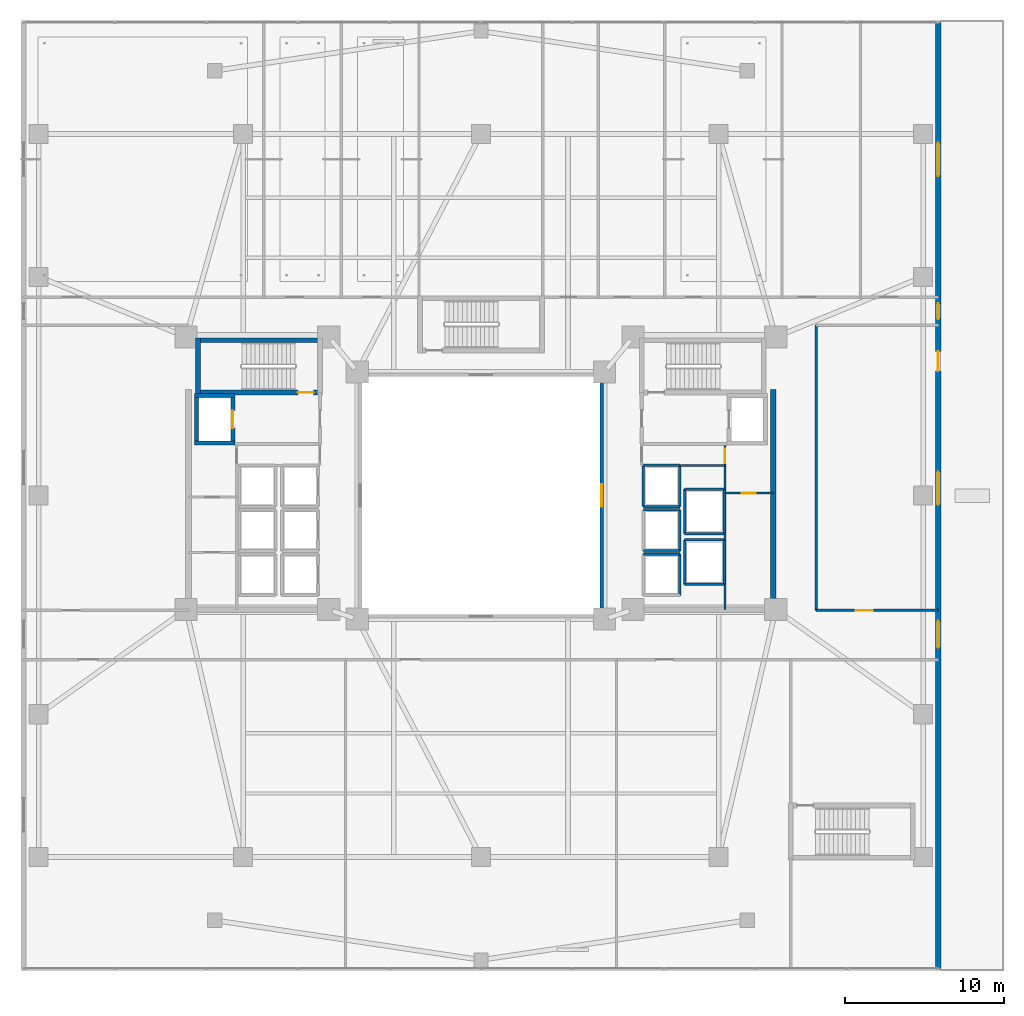
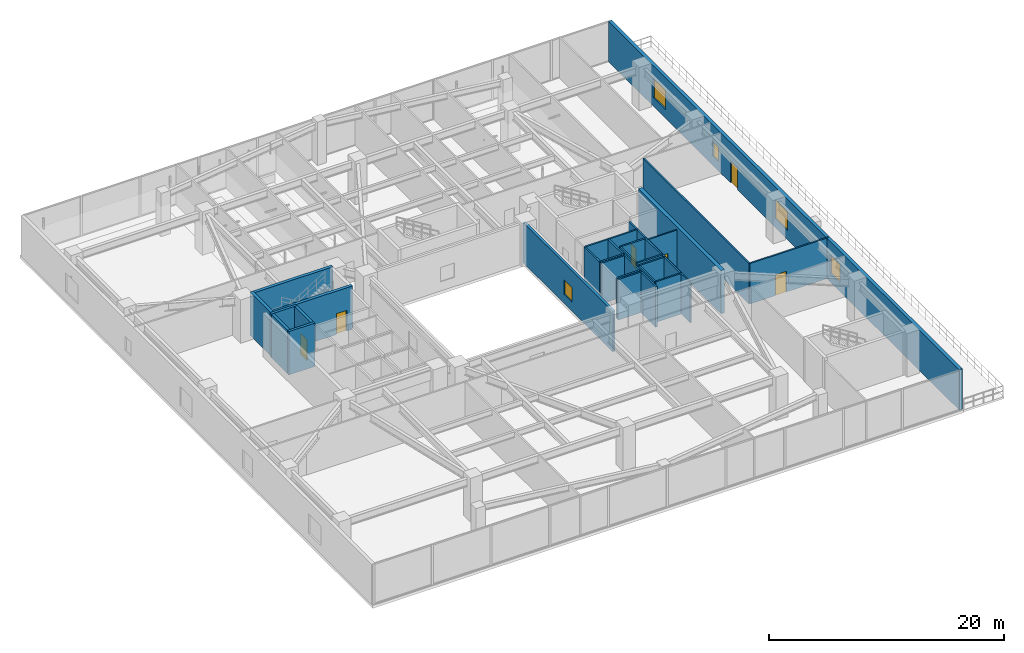
# One storey, part 18 of 27: 32 walls, 6 doors, 5 windows, 11 openings.
"""IFC4 building model written with IfcOpenShell, lengths in metres."""

from ifc_helpers import new_model, si_unit, direction, frame, frame_2d, origin, place, context, subcontext, project, spatial, rectangle, extrude, material, layer, layer_set, type_object, element, fill, save


model = new_model("IFC4")

# Units and contexts
model_context = context("Model", 3, precision=1e-05, world=origin(), true_north=direction((0.0, 1.0)))
body_context = subcontext(model_context, "Body", "Model", "MODEL_VIEW")
ifc_project = project(units=[si_unit("LENGTHUNIT", "METRE"), si_unit("AREAUNIT", "SQUARE_METRE"), si_unit("VOLUMEUNIT", "CUBIC_METRE"), si_unit("PLANEANGLEUNIT", "RADIAN"), si_unit("MASSUNIT", "GRAM", prefix="KILO")], contexts=[model_context])

# Site, building, storey
site_placement = place(None, origin())
site = spatial("IfcSite", under=ifc_project, at=site_placement, CompositionType="ELEMENT")
building_placement = place(site_placement, origin())
building = spatial("IfcBuilding", under=site, at=building_placement, Name="Tarnavaz Court Tower", CompositionType="ELEMENT")
storey_placement = place(building_placement, frame((0.0, 0.0, 9.89990234375)))
storey = spatial("IfcBuildingStorey", under=building, at=storey_placement, Name="L02", CompositionType="ELEMENT", Elevation=9.89990234375)

# Wall
ifc_material_1 = material(Name="Concrete C60/75", Category="concrete")
ifc_layer_1 = layer(ifc_material_1, 0.25)
ifc_layer_set_1 = layer_set([ifc_layer_1], Name="Concrete C60/75")
wall_type_1 = type_object("IfcWallType", Name="WL-CORE-250-C60", PredefinedType="SHEAR", material=ifc_layer_set_1)
wall_1_placement = place(storey_placement, frame((-17.949951171875, 3.175048828125, 0.0), z_axis=(0.0, 0.0, 1.0), x_axis=(0.0, 1.0, 0.0)))
element("IfcWall", 1, at=wall_1_placement, inside=storey, type_object=wall_type_1, Name="L02 Lift FL-W1 Shaft Wall 021", PredefinedType="SHEAR", context=body_context, shape_type="SweptSolid", body=[
    extrude(rectangle(XDim=3.25, YDim=0.25, at=frame_2d((1.625, 0.0))), origin(), (0.0, 0.0, 1.0), 4.5),
])

# Wall, opening, door
wall_2_placement = place(storey_placement, frame((-15.64990234375, 3.175048828125, 0.0), z_axis=(0.0, 0.0, 1.0), x_axis=(0.0, 1.0, 0.0)))
wall_2 = element("IfcWall", 2, at=wall_2_placement, inside=storey, type_object=wall_type_1, Name="L02 Lift FL-W1 Shaft Wall 022", PredefinedType="SHEAR", context=body_context, shape_type="SweptSolid", body=[
    extrude(rectangle(XDim=3.25, YDim=0.25, at=frame_2d((1.625, 0.0))), origin(), (0.0, 0.0, 1.0), 4.5),
])
opening_1_placement = place(wall_2_placement, frame((1.074951171875, 0.0, 0.0)))
opening_1 = element("IfcOpeningElement", 3, at=opening_1_placement, cuts=wall_2, Name="Opening LD1", PredefinedType="OPENING", context=body_context, shape_type="SweptSolid", body=[
    extrude(rectangle(XDim=1.10009765625, YDim=2.14990234375, at=frame_2d((0.550048828125, 1.074951171875))), frame((0.0, 0.135009765625, 0.0), z_axis=(0.0, -1.0, 0.0), x_axis=(1.0, 0.0, 0.0)), (0.0, 0.0, 1.0), 0.27001953125),
])
ifc_material_2 = material(Name="Stainless Steel", Category="steel")
door_type_1 = type_object("IfcDoorType", Name="DR-LD-1100", OperationType="NOTDEFINED", PredefinedType="DOOR", material=ifc_material_2)
door_1_placement = place(opening_1_placement, origin())
door_1 = element("IfcDoor", 4, at=door_1_placement, inside=storey, type_object=door_type_1, Name="L02 Lift Landing Door LD-FL-W1", OperationType="SLIDING_TO_LEFT", OverallHeight=2.14990234375, OverallWidth=1.10009765625, PredefinedType="DOOR", context=body_context, shape_type="SweptSolid", body=[
    extrude(rectangle(XDim=1.10009765625, YDim=2.14990234375, at=frame_2d((0.550048828125, 1.074951171875))), frame((0.0, 0.02490234375, 0.0), z_axis=(0.0, -1.0, 0.0), x_axis=(1.0, 0.0, 0.0)), (0.0, 0.0, 1.0), 0.050048828125),
])
fill(opening_1, door_1)

# Walls
for number, where, z_axis, x_axis, name in (
    (5, (-18.074951171875, 3.300048828125, 0.0), (0.0, 0.0, 1.0), (1.0, 0.0, 0.0), "L02 Lift FL-W1 Shaft Wall 023"),
    (6, (-18.074951171875, 6.300048828125, 0.0), (0.0, 0.0, 1.0), (1.0, 0.0, 0.0), "L02 Lift FL-W1 Shaft Wall 024"),
):
    element("IfcWall", number, at=place(storey_placement, frame(where, z_axis=z_axis, x_axis=x_axis)), inside=storey, type_object=wall_type_1, Name=name, PredefinedType="SHEAR", context=body_context, shape_type="SweptSolid", body=[
        extrude(rectangle(XDim=2.550048828125, YDim=0.25, at=frame_2d((1.27490234375, 0.0))), origin(), (0.0, 0.0, 1.0), 4.5),
    ])
ifc_layer_2 = layer(ifc_material_1, 0.300048828125)
ifc_layer_set_2 = layer_set([ifc_layer_2], Name="Concrete C60/75")
wall_type_2 = type_object("IfcWallType", Name="WL-CORE-300-C60", PredefinedType="SHEAR", material=ifc_layer_set_2)
wall_3_placement = place(storey_placement, frame((-18.0, 9.7900390625, 0.0), z_axis=(0.0, 0.0, 1.0), x_axis=(1.0, 0.0, 0.0)))
element("IfcWall", 7, at=wall_3_placement, inside=storey, type_object=wall_type_2, Name="L02 West Stair Core Wall 001", PredefinedType="SHEAR", context=body_context, shape_type="SweptSolid", body=[
    extrude(rectangle(XDim=8.0, YDim=0.300048828125, at=frame_2d((4.0, 0.0))), origin(), (0.0, 0.0, 1.0), 4.5),
])

# Wall, opening, door
wall_4_placement = place(storey_placement, frame((-18.0, 6.5, 0.0), z_axis=(0.0, 0.0, 1.0), x_axis=(1.0, 0.0, 0.0)))
wall_4 = element("IfcWall", 8, at=wall_4_placement, inside=storey, type_object=wall_type_2, Name="L02 West Stair Core Wall 002", PredefinedType="SHEAR", context=body_context, shape_type="SweptSolid", body=[
    extrude(rectangle(XDim=8.0, YDim=0.300048828125, at=frame_2d((4.0, 0.0))), origin(), (0.0, 0.0, 1.0), 4.5),
])
opening_2_placement = place(wall_4_placement, frame((6.449951171875, 0.0, 0.0)))
opening_2 = element("IfcOpeningElement", 9, at=opening_2_placement, cuts=wall_4, Name="Opening D01", PredefinedType="OPENING", context=body_context, shape_type="SweptSolid", body=[
    extrude(rectangle(XDim=1.0, YDim=2.14990234375, at=frame_2d((0.5, 1.074951171875))), frame((0.0, 0.159912109375, 0.0), z_axis=(0.0, -1.0, 0.0), x_axis=(1.0, 0.0, 0.0)), (0.0, 0.0, 1.0), 0.320068359375),
])
ifc_material_3 = material(Name="Fire-Rated Hardwood Timber Core", Category="wood")
door_type_2 = type_object("IfcDoorType", Name="DR-FD90-1000", OperationType="NOTDEFINED", PredefinedType="DOOR", material=ifc_material_3)
door_2_placement = place(opening_2_placement, origin())
door_2 = element("IfcDoor", 10, at=door_2_placement, inside=storey, type_object=door_type_2, Name="L02 Stair ST-W1 Exit Door", OperationType="SINGLE_SWING_LEFT", OverallHeight=2.14990234375, OverallWidth=1.0, PredefinedType="DOOR", context=body_context, shape_type="SweptSolid", body=[
    extrude(rectangle(XDim=1.0, YDim=2.14990234375, at=frame_2d((0.5, 1.074951171875))), frame((0.0, 0.02490234375, 0.0), z_axis=(0.0, -1.0, 0.0), x_axis=(1.0, 0.0, 0.0)), (0.0, 0.0, 1.0), 0.050048828125),
])
fill(opening_2, door_2)

# Walls
wall_5_placement = place(storey_placement, frame((-17.85009765625, 6.35009765625, 0.0), z_axis=(0.0, 0.0, 1.0), x_axis=(0.0, 1.0, 0.0)))
element("IfcWall", 11, at=wall_5_placement, inside=storey, type_object=wall_type_2, Name="L02 West Stair Core Wall 003", PredefinedType="SHEAR", context=body_context, shape_type="SweptSolid", body=[
    extrude(rectangle(XDim=3.58984375, YDim=0.300048828125, at=frame_2d((1.794921875, 0.0))), origin(), (0.0, 0.0, 1.0), 4.5),
])
ifc_layer_3 = layer(ifc_material_1, 0.35009765625)
ifc_layer_set_3 = layer_set([ifc_layer_3], Name="Concrete C60/75")
wall_type_3 = type_object("IfcWallType", Name="WL-CORE-350-C60", PredefinedType="SHEAR", material=ifc_layer_set_3)
wall_6_placement = place(storey_placement, frame((18.449951171875, -7.375, 0.0), z_axis=(0.0, 0.0, 1.0), x_axis=(0.0, 1.0, 0.0)))
element("IfcWall", 12, at=wall_6_placement, inside=storey, type_object=wall_type_3, Name="L02 East Core Shear Wall 075", PredefinedType="SHEAR", context=body_context, shape_type="SweptSolid", body=[
    extrude(rectangle(XDim=14.050048828125, YDim=0.35009765625, at=frame_2d((7.02490234375, 0.0))), origin(), (0.0, 0.0, 1.0), 4.5),
])

# Wall, openings, door, windows
ifc_material_4 = material(Name="Precast Concrete C40/50", Category="concrete")
ifc_layer_4 = layer(ifc_material_4, 0.320068359375)
ifc_layer_set_4 = layer_set([ifc_layer_4], Name="Precast Concrete C40/50")
wall_type_4 = type_object("IfcWallType", Name="WL-EXT-320", PredefinedType="SOLIDWALL", material=ifc_layer_set_4)
wall_7_placement = place(storey_placement, frame((28.85009765625, 29.85009765625, 0.0), z_axis=(0.0, 0.0, 1.0), x_axis=(0.0, -1.0, 0.0)))
wall_7 = element("IfcWall", 13, at=wall_7_placement, inside=storey, type_object=wall_type_4, Name="L02 Exterior Terracotta Facade Wall 02", PredefinedType="SOLIDWALL", context=body_context, shape_type="SweptSolid", body=[
    extrude(rectangle(XDim=59.7001953125, YDim=0.320068359375, at=frame_2d((29.85009765625, 0.0))), origin(), (0.0, 0.0, 1.0), 4.2001953125),
])
opening_3_placement = place(wall_7_placement, frame((20.75, 0.0, 0.0)))
opening_3 = element("IfcOpeningElement", 14, at=opening_3_placement, cuts=wall_7, Name="Opening TD2", PredefinedType="OPENING", context=body_context, shape_type="SweptSolid", body=[
    extrude(rectangle(XDim=1.25, YDim=2.25, at=frame_2d((0.625, 1.125))), frame((0.0, 0.169921875, 0.0), z_axis=(0.0, -1.0, 0.0), x_axis=(1.0, 0.0, 0.0)), (0.0, 0.0, 1.0), 0.340087890625),
])
opening_4_placement = place(wall_7_placement, frame((7.60009765625, 0.0, 0.89990234375)))
opening_4 = element("IfcOpeningElement", 15, at=opening_4_placement, cuts=wall_7, Name="Opening W09", PredefinedType="OPENING", context=body_context, shape_type="SweptSolid", body=[
    extrude(rectangle(XDim=2.10009765625, YDim=2.0, at=frame_2d((1.050048828125, 1.0))), frame((0.0, 0.169921875, 0.0), z_axis=(0.0, -1.0, 0.0), x_axis=(1.0, 0.0, 0.0)), (0.0, 0.0, 1.0), 0.340087890625),
])
opening_5_placement = place(wall_7_placement, frame((17.72509765625, 0.0, 0.949951171875)))
opening_5 = element("IfcOpeningElement", 16, at=opening_5_placement, cuts=wall_7, Name="Opening W14", PredefinedType="OPENING", context=body_context, shape_type="SweptSolid", body=[
    extrude(rectangle(XDim=1.0, YDim=1.5, at=frame_2d((0.5, 0.75))), frame((0.0, 0.169921875, 0.0), z_axis=(0.0, -1.0, 0.0), x_axis=(1.0, 0.0, 0.0)), (0.0, 0.0, 1.0), 0.340087890625),
])
opening_6_placement = place(wall_7_placement, frame((28.344970703125, 0.0, 0.89990234375)))
opening_6 = element("IfcOpeningElement", 17, at=opening_6_placement, cuts=wall_7, Name="Opening W09", PredefinedType="OPENING", context=body_context, shape_type="SweptSolid", body=[
    extrude(rectangle(XDim=2.10009765625, YDim=2.0, at=frame_2d((1.050048828125, 1.0))), frame((0.0, 0.169921875, 0.0), z_axis=(0.0, -1.0, 0.0), x_axis=(1.0, 0.0, 0.0)), (0.0, 0.0, 1.0), 0.340087890625),
])
opening_7_placement = place(wall_7_placement, frame((37.757568359375, 0.0, 0.89990234375)))
opening_7 = element("IfcOpeningElement", 18, at=opening_7_placement, cuts=wall_7, Name="Opening W10", PredefinedType="OPENING", context=body_context, shape_type="SweptSolid", body=[
    extrude(rectangle(XDim=1.699951171875, YDim=1.89990234375, at=frame_2d((0.85009765625, 0.949951171875))), frame((0.0, 0.169921875, 0.0), z_axis=(0.0, -1.0, 0.0), x_axis=(1.0, 0.0, 0.0)), (0.0, 0.0, 1.0), 0.340087890625),
])
ifc_material_5 = material(Name="Thermally Broken Aluminium and Laminated Glass", Category="aluminium")
door_type_3 = type_object("IfcDoorType", Name="DR-TERR-1250", OperationType="NOTDEFINED", PredefinedType="DOOR", material=ifc_material_5)
door_3_placement = place(opening_3_placement, origin())
door_3 = element("IfcDoor", 19, at=door_3_placement, inside=storey, type_object=door_type_3, Name="L02 Sky Terrace Access Door 1", OperationType="SINGLE_SWING_LEFT", OverallHeight=2.25, OverallWidth=1.25, PredefinedType="DOOR", context=body_context, shape_type="SweptSolid", body=[
    extrude(rectangle(XDim=1.25, YDim=2.25, at=frame_2d((0.625, 1.125))), frame((0.0, 0.02490234375, 0.0), z_axis=(0.0, -1.0, 0.0), x_axis=(1.0, 0.0, 0.0)), (0.0, 0.0, 1.0), 0.050048828125),
])
fill(opening_3, door_3)
ifc_material_6 = material(Name="Double-Glazed Solar Low-E Glass", Category="glass")
window_type_1 = type_object("IfcWindowType", Name="WN-APT-1000", PartitioningType="SINGLE_PANEL", PredefinedType="WINDOW", material=ifc_material_6)
window_1_placement = place(opening_5_placement, origin())
window_1 = element("IfcWindow", 20, at=window_1_placement, inside=storey, type_object=window_type_1, Name="L02 North-East Wing Corridor Window", OverallHeight=1.5, OverallWidth=1.0, PartitioningType="SINGLE_PANEL", PredefinedType="WINDOW", context=body_context, shape_type="SweptSolid", body=[
    extrude(rectangle(XDim=1.0, YDim=1.5, at=frame_2d((0.5, 0.75))), frame((0.0, 0.030029296875, 0.0), z_axis=(0.0, -1.0, 0.0), x_axis=(1.0, 0.0, 0.0)), (0.0, 0.0, 1.0), 0.06005859375),
])
fill(opening_5, window_1)
window_type_2 = type_object("IfcWindowType", Name="WN-CLN-1700", PartitioningType="DOUBLE_PANEL_VERTICAL", PredefinedType="WINDOW", material=ifc_material_6)
window_2_placement = place(opening_7_placement, origin())
window_2 = element("IfcWindow", 21, at=window_2_placement, inside=storey, type_object=window_type_2, Name="L02 South-East Wing Corridor Window", OverallHeight=1.89990234375, OverallWidth=1.699951171875, PartitioningType="SINGLE_PANEL", PredefinedType="WINDOW", context=body_context, shape_type="SweptSolid", body=[
    extrude(rectangle(XDim=1.699951171875, YDim=1.89990234375, at=frame_2d((0.85009765625, 0.949951171875))), frame((0.0, 0.030029296875, 0.0), z_axis=(0.0, -1.0, 0.0), x_axis=(1.0, 0.0, 0.0)), (0.0, 0.0, 1.0), 0.06005859375),
])
fill(opening_7, window_2)
window_type_3 = type_object("IfcWindowType", Name="WN-CLN-2100", PartitioningType="DOUBLE_PANEL_VERTICAL", PredefinedType="WINDOW", material=ifc_material_6)
window_3_placement = place(opening_4_placement, origin())
window_3 = element("IfcWindow", 22, at=window_3_placement, inside=storey, type_object=window_type_3, Name="L02 L02 Specialist Consultation Office Window", OverallHeight=2.0, OverallWidth=2.10009765625, PartitioningType="SINGLE_PANEL", PredefinedType="WINDOW", context=body_context, shape_type="SweptSolid", body=[
    extrude(rectangle(XDim=2.10009765625, YDim=2.0, at=frame_2d((1.050048828125, 1.0))), frame((0.0, 0.030029296875, 0.0), z_axis=(0.0, -1.0, 0.0), x_axis=(1.0, 0.0, 0.0)), (0.0, 0.0, 1.0), 0.06005859375),
])
fill(opening_4, window_3)
window_4_placement = place(opening_6_placement, origin())
window_4 = element("IfcWindow", 23, at=window_4_placement, inside=storey, type_object=window_type_3, Name="L02 L02 East Chahar-Bagh Clinical Lounge Window", OverallHeight=2.0, OverallWidth=2.10009765625, PartitioningType="SINGLE_PANEL", PredefinedType="WINDOW", context=body_context, shape_type="SweptSolid", body=[
    extrude(rectangle(XDim=2.10009765625, YDim=2.0, at=frame_2d((1.050048828125, 1.0))), frame((0.0, 0.030029296875, 0.0), z_axis=(0.0, -1.0, 0.0), x_axis=(1.0, 0.0, 0.0)), (0.0, 0.0, 1.0), 0.06005859375),
])
fill(opening_6, window_4)

# Wall
ifc_material_7 = material(Name="Gypsum Fire-Board on Acoustic Metal Stud", Category="masonry")
ifc_layer_5 = layer(ifc_material_7, 0.14990234375)
ifc_layer_set_5 = layer_set([ifc_layer_5], Name="Gypsum Fire-Board on Acoustic Metal Stud")
wall_type_5 = type_object("IfcWallType", Name="WL-FIRE-150", PredefinedType="PARTITIONING", material=ifc_layer_set_5)
wall_8_placement = place(storey_placement, frame((21.14990234375, -7.25, 0.0), z_axis=(0.0, 0.0, 1.0), x_axis=(0.0, 1.0, 0.0)))
element("IfcWall", 24, at=wall_8_placement, inside=storey, type_object=wall_type_5, Name="L02 East Outer Link Wall 088", PredefinedType="PARTITIONING", context=body_context, shape_type="SweptSolid", body=[
    extrude(rectangle(XDim=18.0, YDim=0.14990234375, at=frame_2d((9.0, 0.0))), origin(), (0.0, 0.0, 1.0), 4.2001953125),
])

# Wall, opening, door
wall_9_placement = place(storey_placement, frame((21.14990234375, -7.25, 0.0), z_axis=(0.0, 0.0, 1.0), x_axis=(1.0, 0.0, 0.0)))
wall_9 = element("IfcWall", 25, at=wall_9_placement, inside=storey, type_object=wall_type_5, Name="L02 Interior Partition 106", PredefinedType="PARTITIONING", context=body_context, shape_type="SweptSolid", body=[
    extrude(rectangle(XDim=7.72998046875, YDim=0.14990234375, at=frame_2d((3.864990234375, 0.0))), origin(), (0.0, 0.0, 1.0), 4.2001953125),
])
opening_8_placement = place(wall_9_placement, frame((2.5, 0.0, 0.0)))
opening_8 = element("IfcOpeningElement", 26, at=opening_8_placement, cuts=wall_9, Name="Opening D12", PredefinedType="OPENING", context=body_context, shape_type="SweptSolid", body=[
    extrude(rectangle(XDim=1.080078125, YDim=2.14990234375, at=frame_2d((0.5400390625, 1.074951171875))), frame((0.0, 0.0849609375, 0.0), z_axis=(0.0, -1.0, 0.0), x_axis=(1.0, 0.0, 0.0)), (0.0, 0.0, 1.0), 0.169921875),
])
ifc_material_8 = material(Name="Engineered Oak Timber", Category="wood")
door_type_4 = type_object("IfcDoorType", Name="DR-INT-1100", OperationType="NOTDEFINED", PredefinedType="DOOR", material=ifc_material_8)
door_4_placement = place(opening_8_placement, origin())
door_4 = element("IfcDoor", 27, at=door_4_placement, inside=storey, type_object=door_type_4, Name="L02 East Clinical Lounge Door", OperationType="SINGLE_SWING_LEFT", OverallHeight=2.14990234375, OverallWidth=1.080078125, PredefinedType="DOOR", context=body_context, shape_type="SweptSolid", body=[
    extrude(rectangle(XDim=1.080078125, YDim=2.14990234375, at=frame_2d((0.5400390625, 1.074951171875))), frame((0.0, 0.02490234375, 0.0), z_axis=(0.0, -1.0, 0.0), x_axis=(1.0, 0.0, 0.0)), (0.0, 0.0, 1.0), 0.050048828125),
])
fill(opening_8, door_4)

# Wall
ifc_material_9 = material(Name="Gypsum Plasterboard Acoustic Partition", Category="masonry")
ifc_layer_6 = layer(ifc_material_9, 0.139892578125)
ifc_layer_set_6 = layer_set([ifc_layer_6], Name="Gypsum Plasterboard Acoustic Partition")
wall_type_6 = type_object("IfcWallType", Name="WL-PART-150", PredefinedType="PARTITIONING", material=ifc_layer_set_6)
wall_10_placement = place(storey_placement, frame((12.550048828125, 1.89990234375, 0.0), z_axis=(0.0, 0.0, 1.0), x_axis=(1.0, 0.0, 0.0)))
element("IfcWall", 28, at=wall_10_placement, inside=storey, type_object=wall_type_6, Name="L02 Interior Partition 082", PredefinedType="PARTITIONING", context=body_context, shape_type="SweptSolid", body=[
    extrude(rectangle(XDim=2.849853515625, YDim=0.139892578125, at=frame_2d((1.4248046875, 0.0))), origin(), (0.0, 0.0, 1.0), 4.2001953125),
])

# Wall, opening, door
wall_11_placement = place(storey_placement, frame((15.39990234375, -7.199951171875, 0.0), z_axis=(0.0, 0.0, 1.0), x_axis=(0.0, 1.0, 0.0)))
wall_11 = element("IfcWall", 29, at=wall_11_placement, inside=storey, type_object=wall_type_6, Name="L02 Interior Partition 084", PredefinedType="PARTITIONING", context=body_context, shape_type="SweptSolid", body=[
    extrude(rectangle(XDim=10.449951171875, YDim=0.139892578125, at=frame_2d((5.22509765625, 0.0))), origin(), (0.0, 0.0, 1.0), 4.2001953125),
])
opening_9_placement = place(wall_11_placement, frame((9.25, 0.0, 0.0)))
opening_9 = element("IfcOpeningElement", 30, at=opening_9_placement, cuts=wall_11, Name="Opening D09", PredefinedType="OPENING", context=body_context, shape_type="SweptSolid", body=[
    extrude(rectangle(XDim=0.89990234375, YDim=2.080078125, at=frame_2d((0.449951171875, 1.0400390625))), frame((0.0, 0.079833984375, 0.0), z_axis=(0.0, -1.0, 0.0), x_axis=(1.0, 0.0, 0.0)), (0.0, 0.0, 1.0), 0.159912109375),
])
door_type_5 = type_object("IfcDoorType", Name="DR-FD30-900", OperationType="NOTDEFINED", PredefinedType="DOOR", material=ifc_material_3)
door_5_placement = place(opening_9_placement, origin())
door_5 = element("IfcDoor", 31, at=door_5_placement, inside=storey, type_object=door_type_5, Name="L02 East Wet Riser Door", OperationType="SINGLE_SWING_LEFT", OverallHeight=2.080078125, OverallWidth=0.89990234375, PredefinedType="DOOR", context=body_context, shape_type="SweptSolid", body=[
    extrude(rectangle(XDim=0.89990234375, YDim=2.080078125, at=frame_2d((0.449951171875, 1.0400390625))), frame((0.0, 0.02490234375, 0.0), z_axis=(0.0, -1.0, 0.0), x_axis=(1.0, 0.0, 0.0)), (0.0, 0.0, 1.0), 0.050048828125),
])
fill(opening_9, door_5)

wall_12_placement = place(storey_placement, frame((15.39990234375, 0.14990234375, 0.0), z_axis=(0.0, 0.0, 1.0), x_axis=(1.0, 0.0, 0.0)))
wall_12 = element("IfcWall", 32, at=wall_12_placement, inside=storey, type_object=wall_type_6, Name="L02 Interior Partition 085", PredefinedType="PARTITIONING", context=body_context, shape_type="SweptSolid", body=[
    extrude(rectangle(XDim=3.050048828125, YDim=0.139892578125, at=frame_2d((1.52490234375, 0.0))), origin(), (0.0, 0.0, 1.0), 4.2001953125),
])
opening_10_placement = place(wall_12_placement, frame((1.050048828125, 0.0, 0.0)))
opening_10 = element("IfcOpeningElement", 33, at=opening_10_placement, cuts=wall_12, Name="Opening D09", PredefinedType="OPENING", context=body_context, shape_type="SweptSolid", body=[
    extrude(rectangle(XDim=0.89990234375, YDim=2.080078125, at=frame_2d((0.449951171875, 1.0400390625))), frame((0.0, 0.079833984375, 0.0), z_axis=(0.0, -1.0, 0.0), x_axis=(1.0, 0.0, 0.0)), (0.0, 0.0, 1.0), 0.159912109375),
])
door_6_placement = place(opening_10_placement, origin())
door_6 = element("IfcDoor", 34, at=door_6_placement, inside=storey, type_object=door_type_5, Name="L02 East Electrical Plant Door", OperationType="SINGLE_SWING_RIGHT", OverallHeight=2.080078125, OverallWidth=0.89990234375, PredefinedType="DOOR", context=body_context, shape_type="SweptSolid", body=[
    extrude(rectangle(XDim=0.89990234375, YDim=2.080078125, at=frame_2d((0.449951171875, 1.0400390625))), frame((0.0, 0.02490234375, 0.0), z_axis=(0.0, -1.0, 0.0), x_axis=(1.0, 0.0, 0.0)), (0.0, 0.0, 1.0), 0.050048828125),
])
fill(opening_10, door_6)

# Walls
ifc_material_10 = material(Name="Autoclaved Aerated Concrete Blockwork", Category="masonry")
ifc_layer_7 = layer(ifc_material_10, 0.159912109375)
ifc_layer_set_7 = layer_set([ifc_layer_7], Name="Autoclaved Aerated Concrete Blockwork")
wall_type_7 = type_object("IfcWallType", Name="WL-SHAFT-150", PredefinedType="SOLIDWALL", material=ifc_layer_set_7)
wall_13_placement = place(storey_placement, frame((12.550048828125, -6.300048828125, 0.0), z_axis=(0.0, 0.0, 1.0), x_axis=(0.0, 1.0, 0.0)))
element("IfcWall", 35, at=wall_13_placement, inside=storey, type_object=wall_type_7, Name="L02 Lift PL-M1 Shaft Wall 054", PredefinedType="SOLIDWALL", context=body_context, shape_type="SweptSolid", body=[
    extrude(rectangle(XDim=2.60009765625, YDim=0.159912109375, at=frame_2d((1.300048828125, 0.0))), origin(), (0.0, 0.0, 1.0), 4.2001953125),
])
wall_14_placement = place(storey_placement, frame((10.25, -3.699951171875, 0.0), z_axis=(0.0, 0.0, 1.0), x_axis=(1.0, 0.0, 0.0)))
element("IfcWall", 36, at=wall_14_placement, inside=storey, type_object=wall_type_7, Name="L02 Lift PL-M1 Shaft Wall 056", PredefinedType="SOLIDWALL", context=body_context, shape_type="SweptSolid", body=[
    extrude(rectangle(XDim=2.300048828125, YDim=0.159912109375, at=frame_2d((1.14990234375, 0.0))), origin(), (0.0, 0.0, 1.0), 4.2001953125),
])
wall_15_placement = place(storey_placement, frame((12.550048828125, -3.5, 0.0), z_axis=(0.0, 0.0, 1.0), x_axis=(0.0, 1.0, 0.0)))
element("IfcWall", 37, at=wall_15_placement, inside=storey, type_object=wall_type_7, Name="L02 Lift PL-M2 Shaft Wall 058", PredefinedType="SOLIDWALL", context=body_context, shape_type="SweptSolid", body=[
    extrude(rectangle(XDim=2.60009765625, YDim=0.159912109375, at=frame_2d((1.300048828125, 0.0))), origin(), (0.0, 0.0, 1.0), 4.2001953125),
])
for number, where, z_axis, x_axis, name in (
    (38, (10.25, -3.5, 0.0), (0.0, 0.0, 1.0), (1.0, 0.0, 0.0), "L02 Lift PL-M2 Shaft Wall 059"),
    (39, (10.25, -0.89990234375, 0.0), (0.0, 0.0, 1.0), (1.0, 0.0, 0.0), "L02 Lift PL-M2 Shaft Wall 060"),
):
    element("IfcWall", number, at=place(storey_placement, frame(where, z_axis=z_axis, x_axis=x_axis)), inside=storey, type_object=wall_type_7, Name=name, PredefinedType="SOLIDWALL", context=body_context, shape_type="SweptSolid", body=[
        extrude(rectangle(XDim=2.300048828125, YDim=0.159912109375, at=frame_2d((1.14990234375, 0.0))), origin(), (0.0, 0.0, 1.0), 4.2001953125),
    ])
for number, where, z_axis, x_axis, name in (
    (40, (10.25, -0.699951171875, 0.0), (0.0, 0.0, 1.0), (0.0, 1.0, 0.0), "L02 Lift PL-M3 Shaft Wall 061"),
    (41, (12.550048828125, -0.699951171875, 0.0), (0.0, 0.0, 1.0), (0.0, 1.0, 0.0), "L02 Lift PL-M3 Shaft Wall 062"),
):
    element("IfcWall", number, at=place(storey_placement, frame(where, z_axis=z_axis, x_axis=x_axis)), inside=storey, type_object=wall_type_7, Name=name, PredefinedType="SOLIDWALL", context=body_context, shape_type="SweptSolid", body=[
        extrude(rectangle(XDim=2.599853515625, YDim=0.159912109375, at=frame_2d((1.2998046875, 0.0))), origin(), (0.0, 0.0, 1.0), 4.2001953125),
    ])
for number, where, z_axis, x_axis, name in (
    (42, (10.25, -0.699951171875, 0.0), (0.0, 0.0, 1.0), (1.0, 0.0, 0.0), "L02 Lift PL-M3 Shaft Wall 063"),
    (43, (10.25, 1.89990234375, 0.0), (0.0, 0.0, 1.0), (1.0, 0.0, 0.0), "L02 Lift PL-M3 Shaft Wall 064"),
):
    element("IfcWall", number, at=place(storey_placement, frame(where, z_axis=z_axis, x_axis=x_axis)), inside=storey, type_object=wall_type_7, Name=name, PredefinedType="SOLIDWALL", context=body_context, shape_type="SweptSolid", body=[
        extrude(rectangle(XDim=2.300048828125, YDim=0.159912109375, at=frame_2d((1.14990234375, 0.0))), origin(), (0.0, 0.0, 1.0), 4.2001953125),
    ])
for number, where, z_axis, x_axis, name in (
    (44, (12.85009765625, -5.60009765625, 0.0), (0.0, 0.0, 1.0), (0.0, 1.0, 0.0), "L02 Lift PL-OB1 Shaft Wall 065"),
    (45, (15.35009765625, -5.60009765625, 0.0), (0.0, 0.0, 1.0), (0.0, 1.0, 0.0), "L02 Lift PL-OB1 Shaft Wall 066"),
):
    element("IfcWall", number, at=place(storey_placement, frame(where, z_axis=z_axis, x_axis=x_axis)), inside=storey, type_object=wall_type_7, Name=name, PredefinedType="SOLIDWALL", context=body_context, shape_type="SweptSolid", body=[
        extrude(rectangle(XDim=2.800048828125, YDim=0.159912109375, at=frame_2d((1.39990234375, 0.0))), origin(), (0.0, 0.0, 1.0), 4.2001953125),
    ])
for number, where, z_axis, x_axis, name in (
    (46, (12.85009765625, -5.60009765625, 0.0), (0.0, 0.0, 1.0), (1.0, 0.0, 0.0), "L02 Lift PL-OB1 Shaft Wall 067"),
    (47, (12.85009765625, -2.800048828125, 0.0), (0.0, 0.0, 1.0), (1.0, 0.0, 0.0), "L02 Lift PL-OB1 Shaft Wall 068"),
):
    element("IfcWall", number, at=place(storey_placement, frame(where, z_axis=z_axis, x_axis=x_axis)), inside=storey, type_object=wall_type_7, Name=name, PredefinedType="SOLIDWALL", context=body_context, shape_type="SweptSolid", body=[
        extrude(rectangle(XDim=2.5, YDim=0.159912109375, at=frame_2d((1.25, 0.0))), origin(), (0.0, 0.0, 1.0), 4.2001953125),
    ])
for number, where, z_axis, x_axis, name in (
    (48, (12.85009765625, -2.39990234375, 0.0), (0.0, 0.0, 1.0), (0.0, 1.0, 0.0), "L02 Lift PL-OB2 Shaft Wall 069"),
    (49, (15.35009765625, -2.39990234375, 0.0), (0.0, 0.0, 1.0), (0.0, 1.0, 0.0), "L02 Lift PL-OB2 Shaft Wall 070"),
):
    element("IfcWall", number, at=place(storey_placement, frame(where, z_axis=z_axis, x_axis=x_axis)), inside=storey, type_object=wall_type_7, Name=name, PredefinedType="SOLIDWALL", context=body_context, shape_type="SweptSolid", body=[
        extrude(rectangle(XDim=2.7998046875, YDim=0.159912109375, at=frame_2d((1.39990234375, 0.0))), origin(), (0.0, 0.0, 1.0), 4.2001953125),
    ])
for number, where, z_axis, x_axis, name in (
    (50, (12.85009765625, -2.39990234375, 0.0), (0.0, 0.0, 1.0), (1.0, 0.0, 0.0), "L02 Lift PL-OB2 Shaft Wall 071"),
    (51, (12.85009765625, 0.39990234375, 0.0), (0.0, 0.0, 1.0), (1.0, 0.0, 0.0), "L02 Lift PL-OB2 Shaft Wall 072"),
):
    element("IfcWall", number, at=place(storey_placement, frame(where, z_axis=z_axis, x_axis=x_axis)), inside=storey, type_object=wall_type_7, Name=name, PredefinedType="SOLIDWALL", context=body_context, shape_type="SweptSolid", body=[
        extrude(rectangle(XDim=2.5, YDim=0.159912109375, at=frame_2d((1.25, 0.0))), origin(), (0.0, 0.0, 1.0), 4.2001953125),
    ])

# Wall, opening, window
ifc_layer_8 = layer(ifc_material_4, 0.239990234375)
ifc_layer_set_8 = layer_set([ifc_layer_8], Name="Precast Concrete C40/50")
wall_type_8 = type_object("IfcWallType", Name="WL-WELL-240", PredefinedType="SOLIDWALL", material=ifc_layer_set_8)
wall_16_placement = place(storey_placement, frame((7.6201171875, -7.6201171875, 0.0), z_axis=(0.0, 0.0, 1.0), x_axis=(0.0, 1.0, 0.0)))
wall_16 = element("IfcWall", 52, at=wall_16_placement, inside=storey, type_object=wall_type_8, Name="L02 Badgir Light-Well Exterior Wall E", PredefinedType="SOLIDWALL", context=body_context, shape_type="SweptSolid", body=[
    extrude(rectangle(XDim=15.240234375, YDim=0.239990234375, at=frame_2d((7.6201171875, 0.0))), origin(), (0.0, 0.0, 1.0), 4.2001953125),
])
opening_11_placement = place(wall_16_placement, frame((6.919921875, 0.0, 0.949951171875)))
opening_11 = element("IfcOpeningElement", 53, at=opening_11_placement, cuts=wall_16, Name="Opening W13", PredefinedType="OPENING", context=body_context, shape_type="SweptSolid", body=[
    extrude(rectangle(XDim=1.39990234375, YDim=1.5, at=frame_2d((0.699951171875, 0.75))), frame((0.0, 0.1298828125, 0.0), z_axis=(0.0, -1.0, 0.0), x_axis=(1.0, 0.0, 0.0)), (0.0, 0.0, 1.0), 0.260009765625),
])
window_type_4 = type_object("IfcWindowType", Name="WN-WEL-1400", PartitioningType="SINGLE_PANEL", PredefinedType="WINDOW", material=ifc_material_6)
window_5_placement = place(opening_11_placement, origin())
window_5 = element("IfcWindow", 54, at=window_5_placement, inside=storey, type_object=window_type_4, Name="L02 Courtyard Gallery Window E", OverallHeight=1.5, OverallWidth=1.39990234375, PartitioningType="SINGLE_PANEL", PredefinedType="WINDOW", context=body_context, shape_type="SweptSolid", body=[
    extrude(rectangle(XDim=1.39990234375, YDim=1.5, at=frame_2d((0.699951171875, 0.75))), frame((0.0, 0.030029296875, 0.0), z_axis=(0.0, -1.0, 0.0), x_axis=(1.0, 0.0, 0.0)), (0.0, 0.0, 1.0), 0.06005859375),
])
fill(opening_11, window_5)

save(model, "model.ifc")
